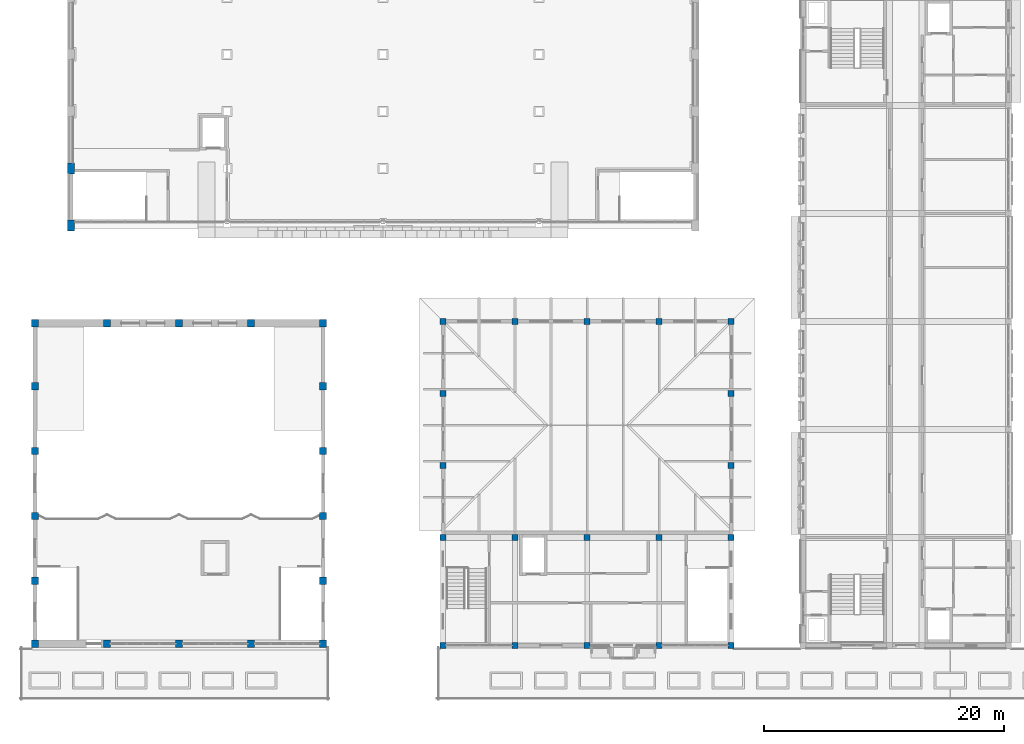
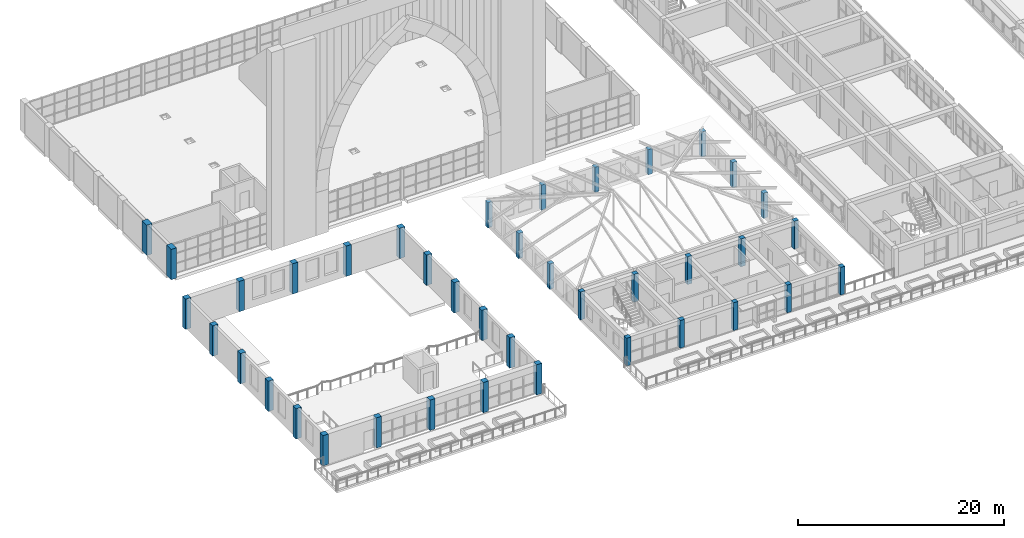
# One storey, part 1 of 82: 39 columns.
"""IFC4 building model written with IfcOpenShell, lengths in metres."""

from ifc_helpers import new_model, si_unit, direction, frame, origin, origin_2d, place, context, subcontext, project, spatial, rectangle, extrude, material, material_profile, profile_set, type_object, element, save


model = new_model("IFC4")

# Units and contexts
model_context = context("Model", 3, precision=1e-05, world=origin(), true_north=direction((0.0, 1.0)))
body_context = subcontext(model_context, "Body", "Model", "MODEL_VIEW")
ifc_project = project(units=[si_unit("LENGTHUNIT", "METRE"), si_unit("AREAUNIT", "SQUARE_METRE"), si_unit("VOLUMEUNIT", "CUBIC_METRE"), si_unit("PLANEANGLEUNIT", "RADIAN"), si_unit("MASSUNIT", "GRAM", prefix="KILO")], contexts=[model_context])

# Site, building, storey
site_placement = place(None, origin())
site = spatial("IfcSite", under=ifc_project, at=site_placement, CompositionType="ELEMENT")
building_placement = place(site_placement, origin())
building = spatial("IfcBuilding", under=site, at=building_placement, Name="Elbe Cascade School", CompositionType="ELEMENT")
storey_placement = place(building_placement, frame((0.0, 0.0, 4.5)))
storey = spatial("IfcBuildingStorey", under=building, at=storey_placement, Name="L01", CompositionType="ELEMENT", Elevation=4.5)

# Columns
ifc_material_1 = material(Name="Concrete C30/37", Category="concrete")
ifc_material_profile_1 = material_profile(ifc_material_1, rectangle(XDim=0.5, YDim=0.5, at=origin_2d()), Name="RC 500x500")
ifc_profile_set_1 = profile_set([ifc_material_profile_1], Name="Concrete C30/37")
column_type_1 = type_object("IfcColumnType", Name="Assembly hall column RC 500x500", PredefinedType="COLUMN", material=ifc_profile_set_1)
for number, where, z_axis, x_axis, name in (
    (1, (39.0, 6.0, 0.0), (0.0, 0.0, 1.0), (1.0, 0.0, 0.0), "Assembly hall column RC 500x500 C7"),
    (2, (39.0, 15.0, 0.0), (0.0, 0.0, 1.0), (1.0, 0.0, 0.0), "Assembly hall column RC 500x500 C7"),
    (3, (45.0, 6.0, 0.0), (0.0, 0.0, 1.0), (1.0, 0.0, 0.0), "Assembly hall column RC 500x500 C7"),
    (4, (45.0, 15.0, 0.0), (0.0, 0.0, 1.0), (1.0, 0.0, 0.0), "Assembly hall column RC 500x500 C7"),
    (5, (51.0, 6.0, 0.0), (0.0, 0.0, 1.0), (1.0, 0.0, 0.0), "Assembly hall column RC 500x500 C7"),
    (6, (51.0, 15.0, 0.0), (0.0, 0.0, 1.0), (1.0, 0.0, 0.0), "Assembly hall column RC 500x500 C7"),
    (7, (57.0, 6.0, 0.0), (0.0, 0.0, 1.0), (1.0, 0.0, 0.0), "Assembly hall column RC 500x500 C7"),
    (8, (57.0, 15.0, 0.0), (0.0, 0.0, 1.0), (1.0, 0.0, 0.0), "Assembly hall column RC 500x500 C7"),
    (9, (63.0, 6.0, 0.0), (0.0, 0.0, 1.0), (1.0, 0.0, 0.0), "Assembly hall column RC 500x500 C7"),
    (10, (63.0, 15.0, 0.0), (0.0, 0.0, 1.0), (1.0, 0.0, 0.0), "Assembly hall column RC 500x500 C7"),
):
    element("IfcColumn", number, at=place(storey_placement, frame(where, z_axis=z_axis, x_axis=x_axis)), inside=storey, type_object=column_type_1, Name=name, PredefinedType="COLUMN", context=body_context, shape_type="SweptSolid", body=[
        extrude(rectangle(XDim=0.5, YDim=0.5, at=origin_2d()), origin(), (0.0, 0.0, 1.0), 3.300048828125),
    ])
for number, where, z_axis, x_axis, name in (
    (11, (39.0, 21.0, 0.0), (0.0, 0.0, 1.0), (1.0, 0.0, 0.0), "Assembly hall column RC 500x500 C7"),
    (12, (39.0, 27.0, 0.0), (0.0, 0.0, 1.0), (1.0, 0.0, 0.0), "Assembly hall column RC 500x500 C7"),
    (13, (39.0, 33.0, 0.0), (0.0, 0.0, 1.0), (1.0, 0.0, 0.0), "Assembly hall column RC 500x500 C7"),
    (14, (45.0, 33.0, 0.0), (0.0, 0.0, 1.0), (1.0, 0.0, 0.0), "Assembly hall column RC 500x500 C7"),
    (15, (51.0, 33.0, 0.0), (0.0, 0.0, 1.0), (1.0, 0.0, 0.0), "Assembly hall column RC 500x500 C7"),
    (16, (57.0, 33.0, 0.0), (0.0, 0.0, 1.0), (1.0, 0.0, 0.0), "Assembly hall column RC 500x500 C7"),
    (17, (63.0, 21.0, 0.0), (0.0, 0.0, 1.0), (1.0, 0.0, 0.0), "Assembly hall column RC 500x500 C7"),
    (18, (63.0, 27.0, 0.0), (0.0, 0.0, 1.0), (1.0, 0.0, 0.0), "Assembly hall column RC 500x500 C7"),
    (19, (63.0, 33.0, 0.0), (0.0, 0.0, 1.0), (1.0, 0.0, 0.0), "Assembly hall column RC 500x500 C7"),
):
    element("IfcColumn", number, at=place(storey_placement, frame(where, z_axis=z_axis, x_axis=x_axis)), inside=storey, type_object=column_type_1, Name=name, PredefinedType="COLUMN", context=body_context, shape_type="SweptSolid", body=[
        extrude(rectangle(XDim=0.5, YDim=0.5, at=origin_2d()), origin(), (0.0, 0.0, 1.0), 2.992919921875),
    ])
ifc_material_2 = material(Name="Concrete C30/37", Category="concrete")
ifc_material_profile_2 = material_profile(ifc_material_2, rectangle(XDim=0.60009765625, YDim=0.60009765625, at=origin_2d()), Name="RC 600x600")
ifc_profile_set_2 = profile_set([ifc_material_profile_2], Name="Concrete C30/37")
column_type_2 = type_object("IfcColumnType", Name="Assembly hall column RC 600x600", PredefinedType="COLUMN", material=ifc_profile_set_2)
for number, where, z_axis, x_axis, name in (
    (20, (5.0, 6.14990234375, 0.0), (0.0, 0.0, 1.0), (1.0, 0.0, 0.0), "Assembly hall column RC 600x600 C6"),
    (21, (5.0, 11.39990234375, 0.0), (0.0, 0.0, 1.0), (1.0, 0.0, 0.0), "Assembly hall column RC 600x600 C6"),
    (22, (5.0, 16.800048828125, 0.0), (0.0, 0.0, 1.0), (1.0, 0.0, 0.0), "Assembly hall column RC 600x600 C6"),
    (23, (5.0, 22.199951171875, 0.0), (0.0, 0.0, 1.0), (1.0, 0.0, 0.0), "Assembly hall column RC 600x600 C6"),
    (24, (5.0, 27.60009765625, 0.0), (0.0, 0.0, 1.0), (1.0, 0.0, 0.0), "Assembly hall column RC 600x600 C6"),
    (25, (5.0, 32.85009765625, 0.0), (0.0, 0.0, 1.0), (1.0, 0.0, 0.0), "Assembly hall column RC 600x600 C6"),
    (26, (11.0, 6.14990234375, 0.0), (0.0, 0.0, 1.0), (1.0, 0.0, 0.0), "Assembly hall column RC 600x600 C6"),
    (27, (11.0, 32.85009765625, 0.0), (0.0, 0.0, 1.0), (1.0, 0.0, 0.0), "Assembly hall column RC 600x600 C6"),
    (28, (17.0, 6.14990234375, 0.0), (0.0, 0.0, 1.0), (1.0, 0.0, 0.0), "Assembly hall column RC 600x600 C6"),
    (29, (17.0, 32.85009765625, 0.0), (0.0, 0.0, 1.0), (1.0, 0.0, 0.0), "Assembly hall column RC 600x600 C6"),
    (30, (23.0, 6.14990234375, 0.0), (0.0, 0.0, 1.0), (1.0, 0.0, 0.0), "Assembly hall column RC 600x600 C6"),
    (31, (23.0, 32.85009765625, 0.0), (0.0, 0.0, 1.0), (1.0, 0.0, 0.0), "Assembly hall column RC 600x600 C6"),
    (32, (29.0, 6.14990234375, 0.0), (0.0, 0.0, 1.0), (1.0, 0.0, 0.0), "Assembly hall column RC 600x600 C6"),
    (33, (29.0, 11.39990234375, 0.0), (0.0, 0.0, 1.0), (1.0, 0.0, 0.0), "Assembly hall column RC 600x600 C6"),
    (34, (29.0, 16.800048828125, 0.0), (0.0, 0.0, 1.0), (1.0, 0.0, 0.0), "Assembly hall column RC 600x600 C6"),
    (35, (29.0, 22.199951171875, 0.0), (0.0, 0.0, 1.0), (1.0, 0.0, 0.0), "Assembly hall column RC 600x600 C6"),
    (36, (29.0, 27.60009765625, 0.0), (0.0, 0.0, 1.0), (1.0, 0.0, 0.0), "Assembly hall column RC 600x600 C6"),
    (37, (29.0, 32.85009765625, 0.0), (0.0, 0.0, 1.0), (1.0, 0.0, 0.0), "Assembly hall column RC 600x600 C6"),
):
    element("IfcColumn", number, at=place(storey_placement, frame(where, z_axis=z_axis, x_axis=x_axis)), inside=storey, type_object=column_type_2, Name=name, PredefinedType="COLUMN", context=body_context, shape_type="SweptSolid", body=[
        extrude(rectangle(XDim=0.60009765625, YDim=0.60009765625, at=origin_2d()), origin(), (0.0, 0.0, 1.0), 3.60009765625),
    ])
ifc_material_3 = material(Name="Concrete C30/37", Category="concrete")
ifc_material_profile_3 = material_profile(ifc_material_3, rectangle(XDim=0.60009765625, YDim=0.89990234375, at=origin_2d()), Name="RC 600x900")
ifc_profile_set_3 = profile_set([ifc_material_profile_3], Name="Concrete C30/37")
column_type_3 = type_object("IfcColumnType", Name="Hall pilaster RC 600x900", PredefinedType="COLUMN", material=ifc_profile_set_3)
for number, where, z_axis, x_axis, name in (
    (38, (8.0, 41.0, 0.0), (0.0, 0.0, 1.0), (1.0, 0.0, 0.0), "Pilaster W1"),
    (39, (8.0, 45.75, 0.0), (0.0, 0.0, 1.0), (1.0, 0.0, 0.0), "Pilaster W2"),
):
    element("IfcColumn", number, at=place(storey_placement, frame(where, z_axis=z_axis, x_axis=x_axis)), inside=storey, type_object=column_type_3, Name=name, PredefinedType="COLUMN", context=body_context, shape_type="SweptSolid", body=[
        extrude(rectangle(XDim=0.60009765625, YDim=0.89990234375, at=origin_2d()), origin(), (0.0, 0.0, 1.0), 3.60009765625),
    ])

save(model, "model.ifc")
